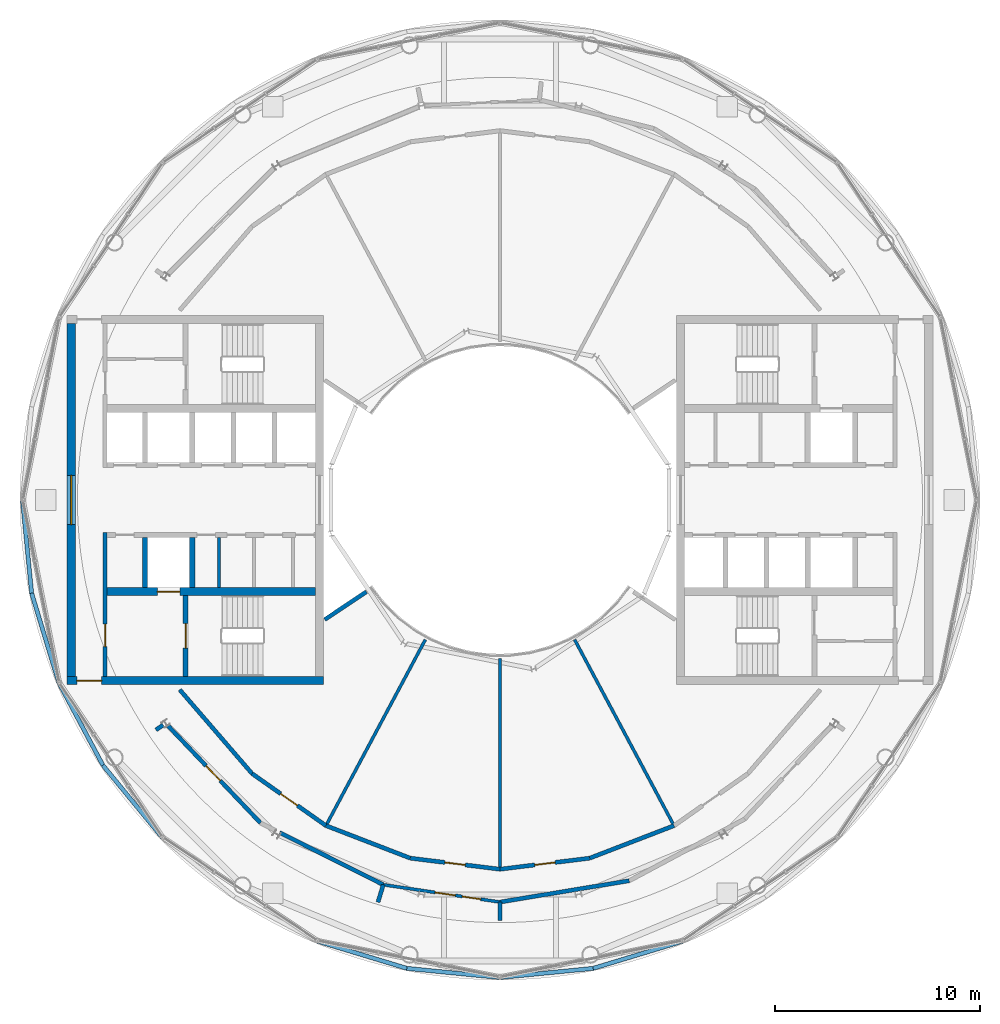
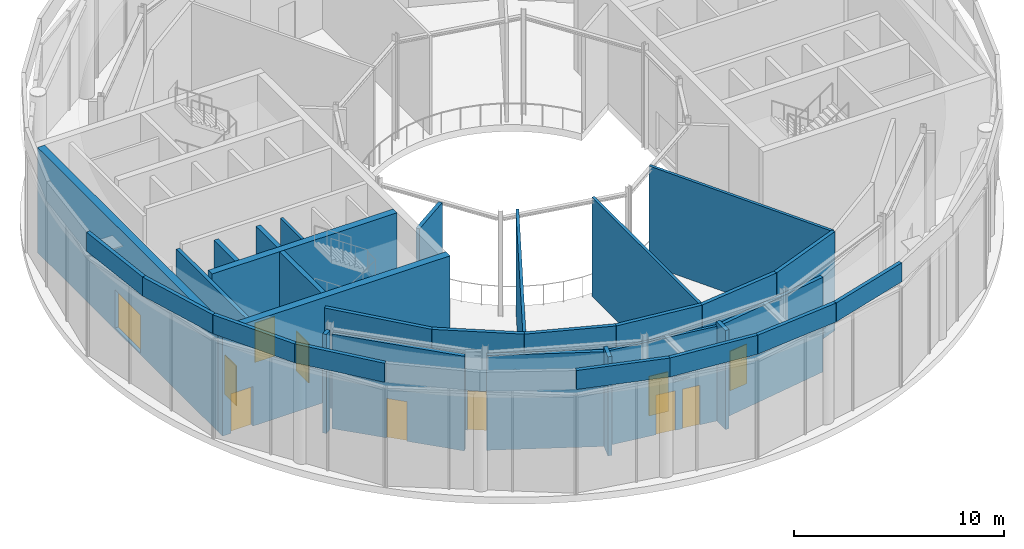
# One storey, part 11 of 20: 33 walls, 10 doors, 1 window, 11 openings.
"""IFC4 building model written with IfcOpenShell, lengths in metres."""

from ifc_helpers import new_model, si_unit, direction, frame, frame_2d, origin, place, context, subcontext, project, spatial, rectangle, extrude, material, layer, layer_set, type_object, element, fill, save


model = new_model("IFC4")

# Units and contexts
model_context = context("Model", 3, precision=1e-05, world=origin(), true_north=direction((0.0, 1.0)))
body_context = subcontext(model_context, "Body", "Model", "MODEL_VIEW")
ifc_project = project(units=[si_unit("LENGTHUNIT", "METRE"), si_unit("AREAUNIT", "SQUARE_METRE"), si_unit("VOLUMEUNIT", "CUBIC_METRE"), si_unit("PLANEANGLEUNIT", "RADIAN"), si_unit("MASSUNIT", "GRAM", prefix="KILO")], contexts=[model_context])

# Site, building, storey
site_placement = place(None, origin())
site = spatial("IfcSite", under=ifc_project, at=site_placement, CompositionType="ELEMENT")
building_placement = place(site_placement, origin())
building = spatial("IfcBuilding", under=site, at=building_placement, Name="Maasbend Ring Residences", CompositionType="ELEMENT")
storey_placement = place(building_placement, frame((0.0, 0.0, 255.39990234375)))
storey = spatial("IfcBuildingStorey", under=building, at=storey_placement, Name="L74", CompositionType="ELEMENT", Elevation=255.39990234375)

# Wall, opening, door
ifc_material_1 = material(Name="Concrete C50/60", Category="concrete")
ifc_layer_1 = layer(ifc_material_1, 0.25)
ifc_layer_set_1 = layer_set([ifc_layer_1], Name="Concrete C50/60")
wall_type_1 = type_object("IfcWallType", Name="CORE WALL 250 C50/60", PredefinedType="SHEAR", material=ifc_layer_set_1)
wall_1_placement = place(storey_placement, frame((-15.324951171875, -4.64990234375, 0.0), z_axis=(0.0, 0.0, 1.0), x_axis=(0.0, -1.0, 0.0)))
wall_1 = element("IfcWall", 1, at=wall_1_placement, inside=storey, type_object=wall_type_1, Name="L74 core W wall STEN", PredefinedType="SHEAR", context=body_context, shape_type="SweptSolid", body=[
    extrude(rectangle(XDim=3.9501953125, YDim=0.25, at=frame_2d((1.97509765625, 0.0))), origin(), (0.0, 0.0, 1.0), 6.10009765625),
])
opening_1_placement = place(wall_1_placement, frame((1.375, 0.0, 0.0)))
opening_1 = element("IfcOpeningElement", 2, at=opening_1_placement, cuts=wall_1, Name="Opening D-W7413", PredefinedType="OPENING", context=body_context, shape_type="SweptSolid", body=[
    extrude(rectangle(XDim=1.199951171875, YDim=2.300048828125, at=frame_2d((0.60009765625, 1.14990234375))), frame((0.0, 0.135009765625, 0.0), z_axis=(0.0, -1.0, 0.0), x_axis=(1.0, 0.0, 0.0)), (0.0, 0.0, 1.0), 0.27001953125),
])
ifc_material_2 = material(Name="Steel, powder coated", Category="steel")
door_type_1 = type_object("IfcDoorType", Name="STAIR DOOR 1200 X 2300 FD60", OperationType="NOTDEFINED", PredefinedType="DOOR", material=ifc_material_2)
door_1_placement = place(opening_1_placement, origin())
door_1 = element("IfcDoor", 3, at=door_1_placement, inside=storey, type_object=door_type_1, Name="Stair door ST-W L74", OperationType="SINGLE_SWING_LEFT", OverallHeight=2.300048828125, OverallWidth=1.199951171875, PredefinedType="DOOR", context=body_context, shape_type="SweptSolid", body=[
    extrude(rectangle(XDim=1.199951171875, YDim=2.300048828125, at=frame_2d((0.60009765625, 1.14990234375))), frame((0.0, 0.02490234375, 0.0), z_axis=(0.0, -1.0, 0.0), x_axis=(1.0, 0.0, 0.0)), (0.0, 0.0, 1.0), 0.050048828125),
])
fill(opening_1, door_1)

ifc_material_3 = material(Name="Concrete C50/60", Category="concrete")
ifc_layer_2 = layer(ifc_material_3, 0.375)
ifc_layer_set_2 = layer_set([ifc_layer_2], Name="Concrete C50/60")
wall_type_2 = type_object("IfcWallType", Name="CORE WALL 375 C50/60", PredefinedType="SHEAR", material=ifc_layer_set_2)
wall_2_placement = place(storey_placement, frame((-9.0, -4.46240234375, 0.0), z_axis=(0.0, 0.0, 1.0), x_axis=(-1.0, 0.0, 0.0)))
wall_2 = element("IfcWall", 4, at=wall_2_placement, inside=storey, type_object=wall_type_2, Name="L74 core W wall BN", PredefinedType="SHEAR", context=body_context, shape_type="SweptSolid", body=[
    extrude(rectangle(XDim=10.14990234375, YDim=0.375, at=frame_2d((5.074951171875, 0.0))), origin(), (0.0, 0.0, 1.0), 6.10009765625),
])
opening_2_placement = place(wall_2_placement, frame((6.60009765625, 0.0, 0.0)))
opening_2 = element("IfcOpeningElement", 5, at=opening_2_placement, cuts=wall_2, Name="Opening LD-W7401", PredefinedType="OPENING", context=body_context, shape_type="SweptSolid", body=[
    extrude(rectangle(XDim=1.10009765625, YDim=2.300048828125, at=frame_2d((0.550048828125, 1.14990234375))), frame((0.0, 0.197509765625, 0.0), z_axis=(0.0, -1.0, 0.0), x_axis=(1.0, 0.0, 0.0)), (0.0, 0.0, 1.0), 0.39501953125),
])
ifc_material_4 = material(Name="Stainless steel 316", Category="steel")
door_type_2 = type_object("IfcDoorType", Name="LANDING DOOR 1100 X 2300 FD60", OperationType="DOUBLE_DOOR_SLIDING", PredefinedType="DOOR", material=ifc_material_4)
door_2_placement = place(opening_2_placement, origin())
door_2 = element("IfcDoor", 6, at=door_2_placement, inside=storey, type_object=door_type_2, Name="Landing door FF-W L74", OperationType="DOUBLE_DOOR_SLIDING", OverallHeight=2.300048828125, OverallWidth=1.10009765625, PredefinedType="DOOR", context=body_context, shape_type="SweptSolid", body=[
    extrude(rectangle(XDim=1.10009765625, YDim=2.300048828125, at=frame_2d((0.550048828125, 1.14990234375))), frame((0.0, 0.02490234375, 0.0), z_axis=(0.0, -1.0, 0.0), x_axis=(1.0, 0.0, 0.0)), (0.0, 0.0, 1.0), 0.050048828125),
])
fill(opening_2, door_2)

ifc_material_5 = material(Name="Concrete C50/60", Category="concrete")
ifc_layer_3 = layer(ifc_material_5, 0.39990234375)
ifc_layer_set_3 = layer_set([ifc_layer_3], Name="Concrete C50/60")
wall_type_3 = type_object("IfcWallType", Name="CORE WALL 400 C50/60", PredefinedType="SHEAR", material=ifc_layer_set_3)
wall_3_placement = place(storey_placement, frame((-21.10009765625, -8.800048828125, 0.0), z_axis=(0.0, 0.0, 1.0), x_axis=(1.0, 0.0, 0.0)))
wall_3 = element("IfcWall", 7, at=wall_3_placement, inside=storey, type_object=wall_type_3, Name="L74 core W wall PN", PredefinedType="SHEAR", context=body_context, shape_type="SweptSolid", body=[
    extrude(rectangle(XDim=12.5, YDim=0.39990234375, at=frame_2d((6.25, 0.0))), origin(), (0.0, 0.0, 1.0), 6.10009765625),
])
opening_3_placement = place(wall_3_placement, frame((0.47509765625, 0.0, 0.0)))
opening_3 = element("IfcOpeningElement", 8, at=opening_3_placement, cuts=wall_3, Name="Opening D-W7417", PredefinedType="OPENING", context=body_context, shape_type="SweptSolid", body=[
    extrude(rectangle(XDim=1.199951171875, YDim=2.300048828125, at=frame_2d((0.60009765625, 1.14990234375))), frame((0.0, 0.2099609375, 0.0), z_axis=(0.0, -1.0, 0.0), x_axis=(1.0, 0.0, 0.0)), (0.0, 0.0, 1.0), 0.419921875),
])
ifc_material_6 = material(Name="Steel, powder coated", Category="steel")
door_type_3 = type_object("IfcDoorType", Name="CORRIDOR DOOR 1200 X 2300 FD30S", OperationType="NOTDEFINED", PredefinedType="DOOR", material=ifc_material_6)
door_3_placement = place(opening_3_placement, origin())
door_3 = element("IfcDoor", 9, at=door_3_placement, inside=storey, type_object=door_type_3, Name="Corridor door L74", OperationType="SINGLE_SWING_RIGHT", OverallHeight=2.300048828125, OverallWidth=1.199951171875, PredefinedType="DOOR", context=body_context, shape_type="SweptSolid", body=[
    extrude(rectangle(XDim=1.199951171875, YDim=2.300048828125, at=frame_2d((0.60009765625, 1.14990234375))), frame((0.0, 0.02490234375, 0.0), z_axis=(0.0, -1.0, 0.0), x_axis=(1.0, 0.0, 0.0)), (0.0, 0.0, 1.0), 0.050048828125),
])
fill(opening_3, door_3)

# Wall, opening, window
wall_4_placement = place(storey_placement, frame((-20.89990234375, 8.60009765625, 0.0), z_axis=(0.0, 0.0, 1.0), x_axis=(0.0, -1.0, 0.0)))
wall_4 = element("IfcWall", 10, at=wall_4_placement, inside=storey, type_object=wall_type_3, Name="L74 core W wall POUT", PredefinedType="SHEAR", context=body_context, shape_type="SweptSolid", body=[
    extrude(rectangle(XDim=17.2001953125, YDim=0.39990234375, at=frame_2d((8.60009765625, 0.0))), origin(), (0.0, 0.0, 1.0), 6.10009765625),
])
opening_4_placement = place(wall_4_placement, frame((7.39990234375, 0.0, 0.10009765625)))
opening_4 = element("IfcOpeningElement", 11, at=opening_4_placement, cuts=wall_4, Name="Opening W-W7402", PredefinedType="OPENING", context=body_context, shape_type="SweptSolid", body=[
    extrude(rectangle(XDim=2.39990234375, YDim=2.199951171875, at=frame_2d((1.199951171875, 1.10009765625))), frame((0.0, 0.2099609375, 0.0), z_axis=(0.0, -1.0, 0.0), x_axis=(1.0, 0.0, 0.0)), (0.0, 0.0, 1.0), 0.419921875),
])
ifc_material_7 = material(Name="Aluminium frame and clear glass", Category="aluminium")
window_type = type_object("IfcWindowType", Name="FIXED WINDOW 2400 X 2200", PartitioningType="SINGLE_PANEL", PredefinedType="WINDOW", material=ifc_material_7)
window_placement = place(opening_4_placement, origin())
window = element("IfcWindow", 12, at=window_placement, inside=storey, type_object=window_type, Name="Lobby window L74", OverallHeight=2.199951171875, OverallWidth=2.39990234375, PartitioningType="SINGLE_PANEL", PredefinedType="WINDOW", context=body_context, shape_type="SweptSolid", body=[
    extrude(rectangle(XDim=2.39990234375, YDim=2.199951171875, at=frame_2d((1.199951171875, 1.10009765625))), frame((0.0, 0.030029296875, 0.0), z_axis=(0.0, -1.0, 0.0), x_axis=(1.0, 0.0, 0.0)), (0.0, 0.0, 1.0), 0.06005859375),
])
fill(opening_4, window)

# Wall
ifc_material_8 = material(Name="Concrete C30/37", Category="concrete")
ifc_layer_4 = layer(ifc_material_8, 0.199951171875)
ifc_layer_set_4 = layer_set([ifc_layer_4], Name="Concrete C30/37")
wall_type_4 = type_object("IfcWallType", Name="CORRIDOR WALL 200 CONCRETE", PredefinedType="PARTITIONING", material=ifc_layer_set_4)
wall_5_placement = place(storey_placement, frame((0.0, -19.60009765625, 0.0), z_axis=(0.0, 0.0, 1.0), x_axis=(0.986645929742, 0.162879738837, 0.0)))
element("IfcWall", 13, at=wall_5_placement, inside=storey, type_object=wall_type_4, Name="U-L74-w002", PredefinedType="PARTITIONING", context=body_context, shape_type="SweptSolid", body=[
    extrude(rectangle(XDim=6.38525390625, YDim=0.199951171875, at=frame_2d((3.192626953125, 0.0))), origin(), (0.0, 0.0, 1.0), 5.5),
])

# Wall, opening, door
wall_6_placement = place(storey_placement, frame((-16.19189453125, -10.9990234375, 0.0), z_axis=(0.0, 0.0, 1.0), x_axis=(0.689484820725, -0.724300132535, 0.0)))
wall_6 = element("IfcWall", 14, at=wall_6_placement, inside=storey, type_object=wall_type_4, Name="U-L74-w005", PredefinedType="PARTITIONING", context=body_context, shape_type="SweptSolid", body=[
    extrude(rectangle(XDim=6.549560546875, YDim=0.199951171875, at=frame_2d((3.27490234375, 0.0))), origin(), (0.0, 0.0, 1.0), 5.5),
])
opening_5_placement = place(wall_6_placement, frame((2.698974609375, 0.0, 0.0)))
opening_5 = element("IfcOpeningElement", 15, at=opening_5_placement, cuts=wall_6, Name="Opening D-7409", PredefinedType="OPENING", context=body_context, shape_type="SweptSolid", body=[
    extrude(rectangle(XDim=1.0, YDim=2.300048828125, at=frame_2d((0.5, 1.14990234375))), frame((0.0, 0.10986328125, 0.0), z_axis=(0.0, -1.0, 0.0), x_axis=(1.0, 0.0, 0.0)), (0.0, 0.0, 1.0), 0.219970703125),
])
ifc_material_9 = material(Name="Timber, painted", Category="wood")
door_type_4 = type_object("IfcDoorType", Name="ROOM DOOR 1000 X 2300", OperationType="NOTDEFINED", PredefinedType="DOOR", material=ifc_material_9)
door_4_placement = place(opening_5_placement, origin())
door_4 = element("IfcDoor", 16, at=door_4_placement, inside=storey, type_object=door_type_4, Name="D-7409", OperationType="SINGLE_SWING_LEFT", OverallHeight=2.300048828125, OverallWidth=1.0, PredefinedType="DOOR", context=body_context, shape_type="SweptSolid", body=[
    extrude(rectangle(XDim=1.0, YDim=2.300048828125, at=frame_2d((0.5, 1.14990234375))), frame((0.0, 0.02490234375, 0.0), z_axis=(0.0, -1.0, 0.0), x_axis=(1.0, 0.0, 0.0)), (0.0, 0.0, 1.0), 0.050048828125),
])
fill(opening_5, door_4)

# Walls
wall_7_placement = place(storey_placement, frame((-10.751953125, -16.2080078125, 0.0), z_axis=(0.0, 0.0, 1.0), x_axis=(0.89321770158, -0.449624440599, 0.0)))
element("IfcWall", 17, at=wall_7_placement, inside=storey, type_object=wall_type_4, Name="U-L74-w007", PredefinedType="PARTITIONING", context=body_context, shape_type="SweptSolid", body=[
    extrude(rectangle(XDim=5.667236328125, YDim=0.199951171875, at=frame_2d((2.83349609375, 0.0))), origin(), (0.0, 0.0, 1.0), 5.5),
])
for number, where, z_axis, x_axis, name in (
    (18, (-8.485107421875, -15.875, 0.0), (0.0, 0.0, 1.0), (0.932983851272, -0.35991823136, 0.0), "U-L74-w008"),
    (19, (4.3740234375, -17.4609375, 0.0), (0.0, 0.0, 1.0), (0.932983851272, 0.35991823136, 0.0), "U-L74-w009"),
):
    element("IfcWall", number, at=place(storey_placement, frame(where, z_axis=z_axis, x_axis=x_axis)), inside=storey, type_object=wall_type_4, Name=name, PredefinedType="PARTITIONING", context=body_context, shape_type="SweptSolid", body=[
        extrude(rectangle(XDim=4.406494140625, YDim=0.199951171875, at=frame_2d((2.203125, 0.0))), origin(), (0.0, 0.0, 1.0), 5.75),
    ])
wall_8_placement = place(storey_placement, frame((-15.613037109375, -9.25, 0.0), z_axis=(0.0, 0.0, 1.0), x_axis=(0.653146301984, -0.757231740093, 0.0)))
element("IfcWall", 20, at=wall_8_placement, inside=storey, type_object=wall_type_4, Name="U-L74-w010", PredefinedType="PARTITIONING", context=body_context, shape_type="SweptSolid", body=[
    extrude(rectangle(XDim=5.397216796875, YDim=0.199951171875, at=frame_2d((2.69873046875, 0.0))), origin(), (0.0, 0.0, 1.0), 5.75),
])

# Wall, opening, door
wall_9_placement = place(storey_placement, frame((-12.087890625, -13.3369140625, 0.0), z_axis=(0.0, 0.0, 1.0), x_axis=(0.817507922666, -0.575917352038, 0.0)))
wall_9 = element("IfcWall", 21, at=wall_9_placement, inside=storey, type_object=wall_type_4, Name="U-L74-w011", PredefinedType="PARTITIONING", context=body_context, shape_type="SweptSolid", body=[
    extrude(rectangle(XDim=4.406982421875, YDim=0.199951171875, at=frame_2d((2.20361328125, 0.0))), origin(), (0.0, 0.0, 1.0), 5.75),
])
opening_6_placement = place(wall_9_placement, frame((1.7041015625, 0.0, 0.0)))
opening_6 = element("IfcOpeningElement", 22, at=opening_6_placement, cuts=wall_9, Name="Opening D-7411", PredefinedType="OPENING", context=body_context, shape_type="SweptSolid", body=[
    extrude(rectangle(XDim=1.0, YDim=2.300048828125, at=frame_2d((0.5, 1.14990234375))), frame((0.0, 0.10986328125, 0.0), z_axis=(0.0, -1.0, 0.0), x_axis=(1.0, 0.0, 0.0)), (0.0, 0.0, 1.0), 0.219970703125),
])
door_5_placement = place(opening_6_placement, origin())
door_5 = element("IfcDoor", 23, at=door_5_placement, inside=storey, type_object=door_type_4, Name="D-7411", OperationType="SINGLE_SWING_RIGHT", OverallHeight=2.300048828125, OverallWidth=1.0, PredefinedType="DOOR", context=body_context, shape_type="SweptSolid", body=[
    extrude(rectangle(XDim=1.0, YDim=2.300048828125, at=frame_2d((0.5, 1.14990234375))), frame((0.0, 0.02490234375, 0.0), z_axis=(0.0, -1.0, 0.0), x_axis=(1.0, 0.0, 0.0)), (0.0, 0.0, 1.0), 0.050048828125),
])
fill(opening_6, door_5)

wall_10_placement = place(storey_placement, frame((-4.3740234375, -17.4609375, 0.0), z_axis=(0.0, 0.0, 1.0), x_axis=(0.992491158779, -0.122316391973, 0.0)))
wall_10 = element("IfcWall", 24, at=wall_10_placement, inside=storey, type_object=wall_type_4, Name="U-L74-w012", PredefinedType="PARTITIONING", context=body_context, shape_type="SweptSolid", body=[
    extrude(rectangle(XDim=4.4072265625, YDim=0.199951171875, at=frame_2d((2.20361328125, 0.0))), origin(), (0.0, 0.0, 1.0), 5.75),
])
opening_7_placement = place(wall_10_placement, frame((1.7041015625, 0.0, 0.0)))
opening_7 = element("IfcOpeningElement", 25, at=opening_7_placement, cuts=wall_10, Name="Opening D-7412", PredefinedType="OPENING", context=body_context, shape_type="SweptSolid", body=[
    extrude(rectangle(XDim=1.0, YDim=2.300048828125, at=frame_2d((0.5, 1.14990234375))), frame((0.0, 0.10986328125, 0.0), z_axis=(0.0, -1.0, 0.0), x_axis=(1.0, 0.0, 0.0)), (0.0, 0.0, 1.0), 0.219970703125),
])
door_6_placement = place(opening_7_placement, origin())
door_6 = element("IfcDoor", 26, at=door_6_placement, inside=storey, type_object=door_type_4, Name="D-7412", OperationType="SINGLE_SWING_LEFT", OverallHeight=2.300048828125, OverallWidth=1.0, PredefinedType="DOOR", context=body_context, shape_type="SweptSolid", body=[
    extrude(rectangle(XDim=1.0, YDim=2.300048828125, at=frame_2d((0.5, 1.14990234375))), frame((0.0, 0.02490234375, 0.0), z_axis=(0.0, -1.0, 0.0), x_axis=(1.0, 0.0, 0.0)), (0.0, 0.0, 1.0), 0.050048828125),
])
fill(opening_7, door_6)

wall_11_placement = place(storey_placement, frame((0.0, -18.0, 0.0), z_axis=(0.0, 0.0, 1.0), x_axis=(0.992491158779, 0.122316391973, 0.0)))
wall_11 = element("IfcWall", 27, at=wall_11_placement, inside=storey, type_object=wall_type_4, Name="U-L74-w013", PredefinedType="PARTITIONING", context=body_context, shape_type="SweptSolid", body=[
    extrude(rectangle(XDim=4.4072265625, YDim=0.199951171875, at=frame_2d((2.20361328125, 0.0))), origin(), (0.0, 0.0, 1.0), 5.75),
])
opening_8_placement = place(wall_11_placement, frame((1.7041015625, 0.0, 0.0)))
opening_8 = element("IfcOpeningElement", 28, at=opening_8_placement, cuts=wall_11, Name="Opening D-7413", PredefinedType="OPENING", context=body_context, shape_type="SweptSolid", body=[
    extrude(rectangle(XDim=1.0, YDim=2.300048828125, at=frame_2d((0.5, 1.14990234375))), frame((0.0, 0.10986328125, 0.0), z_axis=(0.0, -1.0, 0.0), x_axis=(1.0, 0.0, 0.0)), (0.0, 0.0, 1.0), 0.219970703125),
])
door_7_placement = place(opening_8_placement, origin())
door_7 = element("IfcDoor", 29, at=door_7_placement, inside=storey, type_object=door_type_4, Name="D-7413", OperationType="SINGLE_SWING_RIGHT", OverallHeight=2.300048828125, OverallWidth=1.0, PredefinedType="DOOR", context=body_context, shape_type="SweptSolid", body=[
    extrude(rectangle(XDim=1.0, YDim=2.300048828125, at=frame_2d((0.5, 1.14990234375))), frame((0.0, 0.02490234375, 0.0), z_axis=(0.0, -1.0, 0.0), x_axis=(1.0, 0.0, 0.0)), (0.0, 0.0, 1.0), 0.050048828125),
])
fill(opening_8, door_7)

# Walls
wall_12_placement = place(storey_placement, frame((-16.77294921875, -11.20703125, 0.0), z_axis=(0.0, 0.0, 1.0), x_axis=(0.830713836596, 0.556699669201, 0.0)))
element("IfcWall", 30, at=wall_12_placement, inside=storey, type_object=wall_type_4, Name="U-L74-w020", PredefinedType="PARTITIONING", context=body_context, shape_type="SweptSolid", body=[
    extrude(rectangle(XDim=0.42236328125, YDim=0.199951171875, at=frame_2d((0.211181640625, 0.0))), origin(), (0.0, 0.0, 1.0), 5.75),
])
wall_13_placement = place(storey_placement, frame((-5.947998046875, -19.60693359375, 0.0), z_axis=(0.0, 0.0, 1.0), x_axis=(0.290243641717, 0.956952782766, 0.0)))
element("IfcWall", 31, at=wall_13_placement, inside=storey, type_object=wall_type_4, Name="U-L74-w023", PredefinedType="PARTITIONING", context=body_context, shape_type="SweptSolid", body=[
    extrude(rectangle(XDim=0.88916015625, YDim=0.199951171875, at=frame_2d((0.444580078125, 0.0))), origin(), (0.0, 0.0, 1.0), 5.75),
])
wall_14_placement = place(storey_placement, frame((0.0, -20.489013671875, 0.0), z_axis=(0.0, 0.0, 1.0), x_axis=(0.0, 1.0, 0.0)))
element("IfcWall", 32, at=wall_14_placement, inside=storey, type_object=wall_type_4, Name="U-L74-w024", PredefinedType="PARTITIONING", context=body_context, shape_type="SweptSolid", body=[
    extrude(rectangle(XDim=0.888916015625, YDim=0.199951171875, at=frame_2d((0.4443359375, 0.0))), origin(), (0.0, 0.0, 1.0), 5.75),
])
ifc_material_10 = material(Name="Gypsum board on steel studs", Category="steel")
ifc_layer_5 = layer(ifc_material_10, 0.14990234375)
ifc_layer_set_5 = layer_set([ifc_layer_5], Name="PARTITION 150 EI 60")
wall_type_5 = type_object("IfcWallType", Name="PARTITION 150 EI 60", PredefinedType="PARTITIONING", material=ifc_layer_set_5)
wall_15_placement = place(storey_placement, frame((-13.699951171875, -1.824951171875, 0.0), z_axis=(0.0, 0.0, 1.0), x_axis=(0.0, -1.0, 0.0)))
element("IfcWall", 33, at=wall_15_placement, inside=storey, type_object=wall_type_5, Name="L74 core W wall PRN1370", PredefinedType="PARTITIONING", context=body_context, shape_type="SweptSolid", body=[
    extrude(rectangle(XDim=2.449951171875, YDim=0.14990234375, at=frame_2d((1.22509765625, 0.0))), origin(), (0.0, 0.0, 1.0), 5.75),
])

# Wall, openings, doors
ifc_material_11 = material(Name="Gypsum board on steel studs", Category="steel")
ifc_layer_6 = layer(ifc_material_11, 0.14990234375)
ifc_layer_set_6 = layer_set([ifc_layer_6], Name="PARTITION 150 GYPSUM")
wall_type_6 = type_object("IfcWallType", Name="PARTITION 150 GYPSUM", PredefinedType="PARTITIONING", material=ifc_layer_set_6)
wall_16_placement = place(storey_placement, frame((-5.68994140625, -18.756103515625, 0.0), z_axis=(0.0, 0.0, 1.0), x_axis=(0.989177240103, -0.146725552177, 0.0)))
wall_16 = element("IfcWall", 34, at=wall_16_placement, inside=storey, type_object=wall_type_6, Name="U-L74-w001", PredefinedType="PARTITIONING", context=body_context, shape_type="SweptSolid", body=[
    extrude(rectangle(XDim=5.752197265625, YDim=0.14990234375, at=frame_2d((2.8759765625, 0.0))), origin(), (0.0, 0.0, 1.0), 5.5),
])
opening_9_placement = place(wall_16_placement, frame((2.550048828125, 0.0, 0.0)))
opening_9 = element("IfcOpeningElement", 35, at=opening_9_placement, cuts=wall_16, Name="Opening D-7402", PredefinedType="OPENING", context=body_context, shape_type="SweptSolid", body=[
    extrude(rectangle(XDim=1.0, YDim=2.300048828125, at=frame_2d((0.5, 1.14990234375))), frame((0.0, 0.0849609375, 0.0), z_axis=(0.0, -1.0, 0.0), x_axis=(1.0, 0.0, 0.0)), (0.0, 0.0, 1.0), 0.169921875),
])
opening_10_placement = place(wall_16_placement, frame((3.89990234375, 0.0, 0.0)))
opening_10 = element("IfcOpeningElement", 36, at=opening_10_placement, cuts=wall_16, Name="Opening D-7416", PredefinedType="OPENING", context=body_context, shape_type="SweptSolid", body=[
    extrude(rectangle(XDim=0.89990234375, YDim=2.300048828125, at=frame_2d((0.449951171875, 1.14990234375))), frame((0.0, 0.0849609375, 0.0), z_axis=(0.0, -1.0, 0.0), x_axis=(1.0, 0.0, 0.0)), (0.0, 0.0, 1.0), 0.169921875),
])
ifc_material_12 = material(Name="Timber, painted", Category="wood")
door_type_5 = type_object("IfcDoorType", Name="INTERNAL DOOR 900 X 2300", OperationType="NOTDEFINED", PredefinedType="DOOR", material=ifc_material_12)
door_8_placement = place(opening_10_placement, origin())
door_8 = element("IfcDoor", 37, at=door_8_placement, inside=storey, type_object=door_type_5, Name="D-7416", OperationType="SINGLE_SWING_RIGHT", OverallHeight=2.300048828125, OverallWidth=0.89990234375, PredefinedType="DOOR", context=body_context, shape_type="SweptSolid", body=[
    extrude(rectangle(XDim=0.89990234375, YDim=2.300048828125, at=frame_2d((0.449951171875, 1.14990234375))), frame((0.0, 0.02490234375, 0.0), z_axis=(0.0, -1.0, 0.0), x_axis=(1.0, 0.0, 0.0)), (0.0, 0.0, 1.0), 0.050048828125),
])
fill(opening_10, door_8)
door_9_placement = place(opening_9_placement, origin())
door_9 = element("IfcDoor", 38, at=door_9_placement, inside=storey, type_object=door_type_4, Name="D-7402", OperationType="SINGLE_SWING_RIGHT", OverallHeight=2.300048828125, OverallWidth=1.0, PredefinedType="DOOR", context=body_context, shape_type="SweptSolid", body=[
    extrude(rectangle(XDim=1.0, YDim=2.300048828125, at=frame_2d((0.5, 1.14990234375))), frame((0.0, 0.02490234375, 0.0), z_axis=(0.0, -1.0, 0.0), x_axis=(1.0, 0.0, 0.0)), (0.0, 0.0, 1.0), 0.050048828125),
])
fill(opening_9, door_9)

# Walls
wall_17_placement = place(storey_placement, frame((-8.48388671875, -15.875, 0.0), z_axis=(0.0, 0.0, 1.0), x_axis=(0.471365806418, 0.881937796299, 0.0)))
element("IfcWall", 39, at=wall_17_placement, inside=storey, type_object=wall_type_6, Name="U-L74-w022", PredefinedType="PARTITIONING", context=body_context, shape_type="SweptSolid", body=[
    extrude(rectangle(XDim=10.28076171875, YDim=0.14990234375, at=frame_2d((5.140380859375, 0.0))), origin(), (0.0, 0.0, 1.0), 5.75),
])
wall_18_placement = place(storey_placement, frame((0.0, -18.0, 0.0), z_axis=(0.0, 0.0, 1.0), x_axis=(0.0, 1.0, 0.0)))
element("IfcWall", 40, at=wall_18_placement, inside=storey, type_object=wall_type_6, Name="U-L74-w025", PredefinedType="PARTITIONING", context=body_context, shape_type="SweptSolid", body=[
    extrude(rectangle(XDim=10.280029296875, YDim=0.14990234375, at=frame_2d((5.14013671875, 0.0))), origin(), (0.0, 0.0, 1.0), 5.75),
])
wall_19_placement = place(storey_placement, frame((3.637939453125, -6.80810546875, 0.0), z_axis=(0.0, 0.0, 1.0), x_axis=(0.471365806418, -0.881937796299, 0.0)))
element("IfcWall", 41, at=wall_19_placement, inside=storey, type_object=wall_type_6, Name="U-L74-w028", PredefinedType="PARTITIONING", context=body_context, shape_type="SweptSolid", body=[
    extrude(rectangle(XDim=10.28076171875, YDim=0.14990234375, at=frame_2d((5.140380859375, 0.0))), origin(), (0.0, 0.0, 1.0), 5.75),
])
ifc_material_13 = material(Name="Concrete C30/37", Category="concrete")
ifc_layer_7 = layer(ifc_material_13, 0.199951171875)
ifc_layer_set_7 = layer_set([ifc_layer_7], Name="Concrete C30/37")
wall_type_7 = type_object("IfcWallType", Name="PARTY WALL 200 CONCRETE", PredefinedType="PARTITIONING", material=ifc_layer_set_7)
wall_20_placement = place(storey_placement, frame((-6.512939453125, -4.471923828125, 0.0), z_axis=(0.0, 0.0, 1.0), x_axis=(-0.831450132577, -0.555599385382, 0.0)))
element("IfcWall", 42, at=wall_20_placement, inside=storey, type_object=wall_type_7, Name="U-L74-w016", PredefinedType="PARTITIONING", context=body_context, shape_type="SweptSolid", body=[
    extrude(rectangle(XDim=2.442626953125, YDim=0.199951171875, at=frame_2d((1.22119140625, 0.0))), origin(), (0.0, 0.0, 1.0), 5.75),
])

# Wall, opening, door
ifc_material_14 = material(Name="Concrete C30/37", Category="concrete")
ifc_layer_8 = layer(ifc_material_14, 0.199951171875)
ifc_layer_set_8 = layer_set([ifc_layer_8], Name="Concrete C30/37")
wall_type_8 = type_object("IfcWallType", Name="SHAFT WALL 200 EI 120", PredefinedType="SOLIDWALL", material=ifc_layer_set_8)
wall_21_placement = place(storey_placement, frame((-19.25, -1.574951171875, 0.0), z_axis=(0.0, 0.0, 1.0), x_axis=(0.0, -1.0, 0.0)))
wall_21 = element("IfcWall", 43, at=wall_21_placement, inside=storey, type_object=wall_type_8, Name="L74 core W wall ENDN", PredefinedType="SOLIDWALL", context=body_context, shape_type="SweptSolid", body=[
    extrude(rectangle(XDim=7.025146484375, YDim=0.199951171875, at=frame_2d((3.5126953125, 0.0))), origin(), (0.0, 0.0, 1.0), 5.75),
])
opening_11_placement = place(wall_21_placement, frame((4.47509765625, 0.0, 0.0)))
opening_11 = element("IfcOpeningElement", 44, at=opening_11_placement, cuts=wall_21, Name="Opening D-W7415", PredefinedType="OPENING", context=body_context, shape_type="SweptSolid", body=[
    extrude(rectangle(XDim=1.10009765625, YDim=2.300048828125, at=frame_2d((0.550048828125, 1.14990234375))), frame((0.0, 0.10986328125, 0.0), z_axis=(0.0, -1.0, 0.0), x_axis=(1.0, 0.0, 0.0)), (0.0, 0.0, 1.0), 0.219970703125),
])
ifc_material_15 = material(Name="Steel, powder coated", Category="steel")
door_type_6 = type_object("IfcDoorType", Name="LOBBY DOOR 1100 X 2300 FD60", OperationType="NOTDEFINED", PredefinedType="DOOR", material=ifc_material_15)
door_10_placement = place(opening_11_placement, origin())
door_10 = element("IfcDoor", 45, at=door_10_placement, inside=storey, type_object=door_type_6, Name="Lobby door L74", OperationType="SINGLE_SWING_LEFT", OverallHeight=2.300048828125, OverallWidth=1.10009765625, PredefinedType="DOOR", context=body_context, shape_type="SweptSolid", body=[
    extrude(rectangle(XDim=1.10009765625, YDim=2.300048828125, at=frame_2d((0.550048828125, 1.14990234375))), frame((0.0, 0.02490234375, 0.0), z_axis=(0.0, -1.0, 0.0), x_axis=(1.0, 0.0, 0.0)), (0.0, 0.0, 1.0), 0.050048828125),
])
fill(opening_11, door_10)

# Walls
ifc_material_16 = material(Name="Concrete C30/37", Category="concrete")
ifc_layer_9 = layer(ifc_material_16, 0.25)
ifc_layer_set_9 = layer_set([ifc_layer_9], Name="Concrete C30/37")
wall_type_9 = type_object("IfcWallType", Name="SHAFT WALL 250 EI 120", PredefinedType="SOLIDWALL", material=ifc_layer_set_9)
for number, where, z_axis, x_axis, name in (
    (46, (-15.0, -1.824951171875, 0.0), (0.0, 0.0, 1.0), (0.0, -1.0, 0.0), "L74 core W wall D150N"),
    (47, (-17.300048828125, -1.824951171875, 0.0), (0.0, 0.0, 1.0), (0.0, -1.0, 0.0), "L74 core W wall D173N"),
):
    element("IfcWall", number, at=place(storey_placement, frame(where, z_axis=z_axis, x_axis=x_axis)), inside=storey, type_object=wall_type_9, Name=name, PredefinedType="SOLIDWALL", context=body_context, shape_type="SweptSolid", body=[
        extrude(rectangle(XDim=2.449951171875, YDim=0.25, at=frame_2d((1.22509765625, 0.0))), origin(), (0.0, 0.0, 1.0), 5.75),
    ])
ifc_material_17 = material(Name="Pale anodised aluminium panel", Category="aluminium")
ifc_layer_10 = layer(ifc_material_17, 0.199951171875)
ifc_layer_set_10 = layer_set([ifc_layer_10], Name="WALL-PARAPET")
wall_type_10 = type_object("IfcWallType", Name="WALL-PARAPET", PredefinedType="PARAPET", material=ifc_layer_set_10)
wall_22_placement = place(storey_placement, frame((-23.280029296875, 0.0, 6.10009765625), z_axis=(0.0, 0.0, 1.0), x_axis=(0.097946461831, -0.995191685363, 0.0)))
element("IfcWall", 48, at=wall_22_placement, inside=storey, type_object=wall_type_10, Name="Roof parapet 17", PredefinedType="PARAPET", context=body_context, shape_type="SweptSolid", body=[
    extrude(rectangle(XDim=4.56396484375, YDim=0.199951171875, at=frame_2d((2.281982421875, 0.0))), origin(), (0.0, 0.0, 1.0), 1.10009765625),
])
wall_23_placement = place(storey_placement, frame((-22.8330078125, -4.5419921875, 6.10009765625), z_axis=(0.0, 0.0, 1.0), x_axis=(0.29033552242, -0.956924910545, 0.0)))
element("IfcWall", 49, at=wall_23_placement, inside=storey, type_object=wall_type_10, Name="Roof parapet 18", PredefinedType="PARAPET", context=body_context, shape_type="SweptSolid", body=[
    extrude(rectangle(XDim=4.5634765625, YDim=0.199951171875, at=frame_2d((2.28173828125, 0.0))), origin(), (0.0, 0.0, 1.0), 1.10009765625),
])
wall_24_placement = place(storey_placement, frame((-21.508056640625, -8.908935546875, 6.10009765625), z_axis=(0.0, 0.0, 1.0), x_axis=(0.471334945511, -0.881954289711, 0.0)))
element("IfcWall", 50, at=wall_24_placement, inside=storey, type_object=wall_type_10, Name="Roof parapet 19", PredefinedType="PARAPET", context=body_context, shape_type="SweptSolid", body=[
    extrude(rectangle(XDim=4.56396484375, YDim=0.199951171875, at=frame_2d((2.281982421875, 0.0))), origin(), (0.0, 0.0, 1.0), 1.10009765625),
])
for number, where, z_axis, x_axis, name in (
    (51, (-19.35693359375, -12.93408203125, 6.10009765625), (0.0, 0.0, 1.0), (0.6346002271, -0.772840573317, 0.0), "Roof parapet 20"),
    (52, (-8.908935546875, -21.508056640625, 6.10009765625), (0.0, 0.0, 1.0), (0.956924910545, -0.29033552242, 0.0), "Roof parapet 23"),
):
    element("IfcWall", number, at=place(storey_placement, frame(where, z_axis=z_axis, x_axis=x_axis)), inside=storey, type_object=wall_type_10, Name=name, PredefinedType="PARAPET", context=body_context, shape_type="SweptSolid", body=[
        extrude(rectangle(XDim=4.5634765625, YDim=0.199951171875, at=frame_2d((2.28173828125, 0.0))), origin(), (0.0, 0.0, 1.0), 1.10009765625),
    ])
for number, where, z_axis, x_axis, name in (
    (53, (-4.5419921875, -22.8330078125, 6.10009765625), (0.0, 0.0, 1.0), (0.995191685363, -0.097946461831, 0.0), "Roof parapet 24"),
    (54, (0.0, -23.280029296875, 6.10009765625), (0.0, 0.0, 1.0), (0.995191685363, 0.097946461831, 0.0), "Roof parapet 25"),
):
    element("IfcWall", number, at=place(storey_placement, frame(where, z_axis=z_axis, x_axis=x_axis)), inside=storey, type_object=wall_type_10, Name=name, PredefinedType="PARAPET", context=body_context, shape_type="SweptSolid", body=[
        extrude(rectangle(XDim=4.56396484375, YDim=0.199951171875, at=frame_2d((2.281982421875, 0.0))), origin(), (0.0, 0.0, 1.0), 1.10009765625),
    ])
wall_25_placement = place(storey_placement, frame((4.5419921875, -22.8330078125, 6.10009765625), z_axis=(0.0, 0.0, 1.0), x_axis=(0.956924910545, 0.29033552242, 0.0)))
element("IfcWall", 55, at=wall_25_placement, inside=storey, type_object=wall_type_10, Name="Roof parapet 26", PredefinedType="PARAPET", context=body_context, shape_type="SweptSolid", body=[
    extrude(rectangle(XDim=4.5634765625, YDim=0.199951171875, at=frame_2d((2.28173828125, 0.0))), origin(), (0.0, 0.0, 1.0), 1.10009765625),
])

save(model, "model.ifc")
